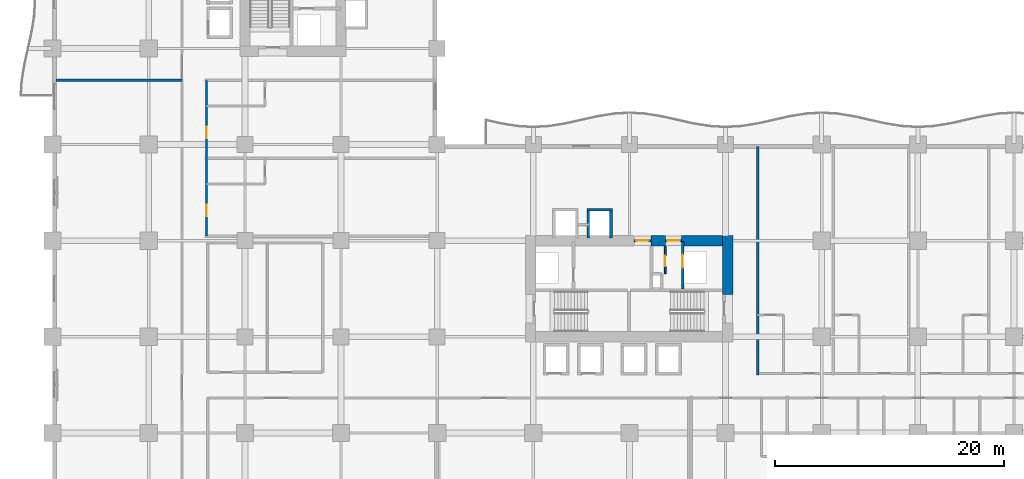
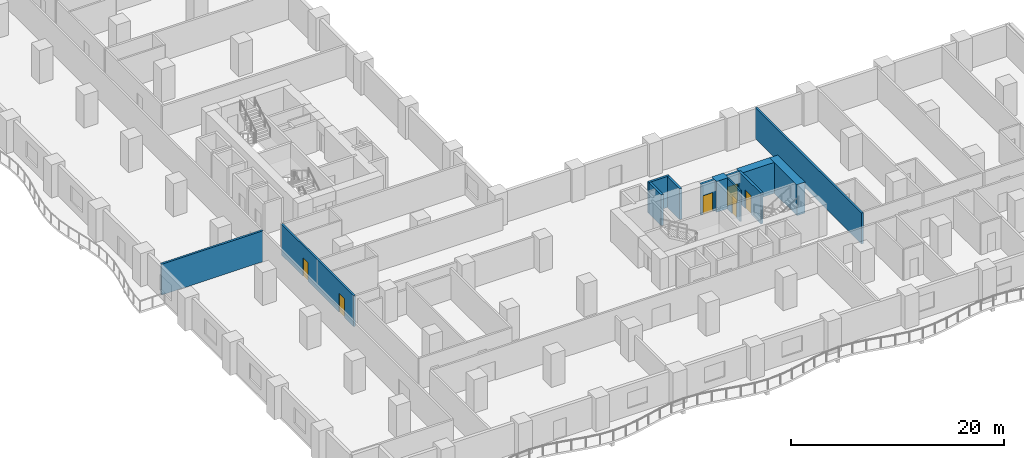
# One storey, part 9 of 21: 13 walls, 6 doors, 6 openings.
"""IFC4 building model written with IfcOpenShell, lengths in metres."""

from ifc_helpers import new_model, si_unit, direction, frame, frame_2d, origin, place, context, subcontext, project, spatial, rectangle, extrude, material, layer, layer_set, type_object, element, fill, save


model = new_model("IFC4")

# Units and contexts
model_context = context("Model", 3, precision=1e-05, world=origin(), true_north=direction((0.0, 1.0)))
body_context = subcontext(model_context, "Body", "Model", "MODEL_VIEW")
ifc_project = project(units=[si_unit("LENGTHUNIT", "METRE"), si_unit("AREAUNIT", "SQUARE_METRE"), si_unit("VOLUMEUNIT", "CUBIC_METRE"), si_unit("PLANEANGLEUNIT", "RADIAN"), si_unit("MASSUNIT", "GRAM", prefix="KILO")], contexts=[model_context])

# Site, building, storey
site_placement = place(None, origin())
site = spatial("IfcSite", under=ifc_project, at=site_placement, CompositionType="ELEMENT")
building_placement = place(site_placement, origin())
building = spatial("IfcBuilding", under=site, at=building_placement, Name="Koriwani Terraces Tower", CompositionType="ELEMENT")
storey_placement = place(building_placement, frame((0.0, 0.0, 77.60009765625)))
storey = spatial("IfcBuildingStorey", under=building, at=storey_placement, Name="L18", CompositionType="ELEMENT", Elevation=77.60009765625)

# Walls
ifc_material_1 = material(Name="Concrete C60/75", Category="concrete")
ifc_layer_1 = layer(ifc_material_1, 0.89990234375, Name="Concrete C60/75")
ifc_layer_set_1 = layer_set([ifc_layer_1], Name="Concrete C60/75")
wall_type_1 = type_object("IfcWallType", Name="WALL_CORE_RC_900", PredefinedType="SHEAR", material=ifc_layer_set_1)
wall_1_placement = place(storey_placement, frame((59.0, 20.5, 0.0), z_axis=(0.0, 0.0, 1.0), x_axis=(0.0, 1.0, 0.0)))
element("IfcWall", 1, at=wall_1_placement, inside=storey, type_object=wall_type_1, Name="L18 East Split Core Shear Wall E2", PredefinedType="SHEAR", context=body_context, shape_type="SweptSolid", body=[
    extrude(rectangle(XDim=5.14990234375, YDim=0.89990234375, at=frame_2d((2.574951171875, 0.0))), origin(), (0.0, 0.0, 1.0), 3.5498046875),
])
wall_2_placement = place(storey_placement, frame((52.280029296875, 25.199951171875, 0.0), z_axis=(0.0, 0.0, 1.0), x_axis=(1.0, 0.0, 0.0)))
element("IfcWall", 2, at=wall_2_placement, inside=storey, type_object=wall_type_1, Name="L18 East Split Core Shear Wall N2", PredefinedType="SHEAR", context=body_context, shape_type="SweptSolid", body=[
    extrude(rectangle(XDim=1.27001953125, YDim=0.89990234375, at=frame_2d((0.635009765625, 0.0))), origin(), (0.0, 0.0, 1.0), 3.5498046875),
])
wall_3_placement = place(storey_placement, frame((54.949951171875, 25.199951171875, 0.0), z_axis=(0.0, 0.0, 1.0), x_axis=(1.0, 0.0, 0.0)))
element("IfcWall", 3, at=wall_3_placement, inside=storey, type_object=wall_type_1, Name="L18 East Split Core Shear Wall N3", PredefinedType="SHEAR", context=body_context, shape_type="SweptSolid", body=[
    extrude(rectangle(XDim=3.60009765625, YDim=0.89990234375, at=frame_2d((1.800048828125, 0.0))), origin(), (0.0, 0.0, 1.0), 3.5498046875),
])

# Wall, openings, doors
ifc_material_2 = material(Name="Autoclaved Cellular Concrete Blockwork", Category="masonry")
ifc_layer_2 = layer(ifc_material_2, 0.199951171875, Name="Autoclaved Cellular Concrete Blockwork")
ifc_layer_set_2 = layer_set([ifc_layer_2], Name="Autoclaved Cellular Concrete Blockwork")
wall_type_2 = type_object("IfcWallType", Name="WALL_CORRIDOR_200", PredefinedType="PARTITIONING", material=ifc_layer_set_2)
wall_4_placement = place(storey_placement, frame((13.449951171875, 25.60009765625, 0.0), z_axis=(0.0, 0.0, 1.0), x_axis=(0.0, 1.0, 0.0)))
wall_4 = element("IfcWall", 4, at=wall_4_placement, inside=storey, type_object=wall_type_2, Name="L18 Interior Wall WCOR-L18-NWI-0", PredefinedType="PARTITIONING", context=body_context, shape_type="SweptSolid", body=[
    extrude(rectangle(XDim=13.599853515625, YDim=0.199951171875, at=frame_2d((6.7998046875, 0.0))), origin(), (0.0, 0.0, 1.0), 3.5498046875),
])
opening_1_placement = place(wall_4_placement, frame((1.735107421875, 0.0, 0.0)))
opening_1 = element("IfcOpeningElement", 5, at=opening_1_placement, cuts=wall_4, Name="Opening D-05", PredefinedType="OPENING", context=body_context, shape_type="SweptSolid", body=[
    extrude(rectangle(XDim=1.0, YDim=2.14990234375, at=frame_2d((0.5, 1.074951171875))), frame((0.0, 0.10986328125, 0.0), z_axis=(0.0, -1.0, 0.0), x_axis=(1.0, 0.0, 0.0)), (0.0, 0.0, 1.0), 0.219970703125),
])
opening_2_placement = place(wall_4_placement, frame((8.534912109375, 0.0, 0.0)))
opening_2 = element("IfcOpeningElement", 6, at=opening_2_placement, cuts=wall_4, Name="Opening D-05", PredefinedType="OPENING", context=body_context, shape_type="SweptSolid", body=[
    extrude(rectangle(XDim=1.0, YDim=2.14990234375, at=frame_2d((0.5, 1.074951171875))), frame((0.0, 0.10986328125, 0.0), z_axis=(0.0, -1.0, 0.0), x_axis=(1.0, 0.0, 0.0)), (0.0, 0.0, 1.0), 0.219970703125),
])
ifc_material_3 = material(Name="Architectural Oak Fire Door", Category="wood")
door_type_1 = type_object("IfcDoorType", Name="DOOR_SUITE_ENTRY_1000X2150", OperationType="NOTDEFINED", PredefinedType="DOOR", material=ifc_material_3)
door_1_placement = place(opening_1_placement, origin())
door_1 = element("IfcDoor", 7, at=door_1_placement, inside=storey, type_object=door_type_1, Name="Luxury Hotel Suite 18NWI1 Entrance Door", OperationType="SINGLE_SWING_RIGHT", OverallHeight=2.14990234375, OverallWidth=1.0, PredefinedType="DOOR", context=body_context, shape_type="SweptSolid", body=[
    extrude(rectangle(XDim=1.0, YDim=2.14990234375, at=frame_2d((0.5, 1.074951171875))), frame((0.0, 0.02490234375, 0.0), z_axis=(0.0, -1.0, 0.0), x_axis=(1.0, 0.0, 0.0)), (0.0, 0.0, 1.0), 0.050048828125),
])
fill(opening_1, door_1)
door_2_placement = place(opening_2_placement, origin())
door_2 = element("IfcDoor", 8, at=door_2_placement, inside=storey, type_object=door_type_1, Name="Luxury Hotel Suite 18NWI2 Entrance Door", OperationType="SINGLE_SWING_RIGHT", OverallHeight=2.14990234375, OverallWidth=1.0, PredefinedType="DOOR", context=body_context, shape_type="SweptSolid", body=[
    extrude(rectangle(XDim=1.0, YDim=2.14990234375, at=frame_2d((0.5, 1.074951171875))), frame((0.0, 0.02490234375, 0.0), z_axis=(0.0, -1.0, 0.0), x_axis=(1.0, 0.0, 0.0)), (0.0, 0.0, 1.0), 0.050048828125),
])
fill(opening_2, door_2)

# Walls
ifc_layer_3 = layer(ifc_material_2, 0.219970703125, Name="Autoclaved Cellular Concrete Blockwork")
ifc_layer_set_3 = layer_set([ifc_layer_3], Name="Autoclaved Cellular Concrete Blockwork")
wall_type_3 = type_object("IfcWallType", Name="WALL_DEMISING_220", PredefinedType="PARTITIONING", material=ifc_layer_set_3)
wall_5_placement = place(storey_placement, frame((0.300048828125, 39.199951171875, 0.0), z_axis=(0.0, 0.0, 1.0), x_axis=(1.0, 0.0, 0.0)))
element("IfcWall", 9, at=wall_5_placement, inside=storey, type_object=wall_type_3, Name="L18 Interior Wall WZ1NWCLM-L18", PredefinedType="PARTITIONING", context=body_context, shape_type="SweptSolid", body=[
    extrude(rectangle(XDim=11.0, YDim=0.219970703125, at=frame_2d((5.5, 0.0))), origin(), (0.0, 0.0, 1.0), 3.5498046875),
])
wall_6_placement = place(storey_placement, frame((61.60009765625, 13.449951171875, 0.0), z_axis=(0.0, 0.0, 1.0), x_axis=(0.0, 1.0, 0.0)))
element("IfcWall", 10, at=wall_6_placement, inside=storey, type_object=wall_type_3, Name="L18 Interior Wall WDEM-L18-SE-0", PredefinedType="PARTITIONING", context=body_context, shape_type="SweptSolid", body=[
    extrude(rectangle(XDim=19.97998046875, YDim=0.219970703125, at=frame_2d((9.989990234375, 0.0))), origin(), (0.0, 0.0, 1.0), 3.5498046875),
])

# Wall, opening, door
ifc_material_4 = material(Name="Concrete C40/50", Category="concrete")
ifc_layer_4 = layer(ifc_material_4, 0.25, Name="Concrete C40/50")
ifc_layer_set_4 = layer_set([ifc_layer_4], Name="Concrete C40/50")
wall_type_4 = type_object("IfcWallType", Name="WALL_SHAFT_RATED_250", PredefinedType="SOLIDWALL", material=ifc_layer_set_4)
wall_7_placement = place(storey_placement, frame((50.800048828125, 25.199951171875, 0.0), z_axis=(0.0, 0.0, 1.0), x_axis=(1.0, 0.0, 0.0)))
wall_7 = element("IfcWall", 11, at=wall_7_placement, inside=storey, type_object=wall_type_4, Name="L18 Interior Wall WIN-CE-L18-NP", PredefinedType="SOLIDWALL", context=body_context, shape_type="SweptSolid", body=[
    extrude(rectangle(XDim=1.47998046875, YDim=0.25, at=frame_2d((0.739990234375, 0.0))), origin(), (0.0, 0.0, 1.0), 3.5498046875),
])
opening_3_placement = place(wall_7_placement, frame((0.179931640625, 0.0, 0.0)))
opening_3 = element("IfcOpeningElement", 12, at=opening_3_placement, cuts=wall_7, Name="Opening D-03", PredefinedType="OPENING", context=body_context, shape_type="SweptSolid", body=[
    extrude(rectangle(XDim=1.10009765625, YDim=2.14990234375, at=frame_2d((0.550048828125, 1.074951171875))), frame((0.0, 0.135009765625, 0.0), z_axis=(0.0, -1.0, 0.0), x_axis=(1.0, 0.0, 0.0)), (0.0, 0.0, 1.0), 0.27001953125),
])
ifc_material_5 = material(Name="Steel ASTM A572 Grade 50", Category="steel")
door_type_2 = type_object("IfcDoorType", Name="DOOR_STAIR_FIRE_1100X2150", OperationType="NOTDEFINED", PredefinedType="DOOR", material=ifc_material_5)
door_3_placement = place(opening_3_placement, origin())
door_3 = element("IfcDoor", 13, at=door_3_placement, inside=storey, type_object=door_type_2, Name="L18 East Firefighting Lobby Door", OperationType="SINGLE_SWING_LEFT", OverallHeight=2.14990234375, OverallWidth=1.10009765625, PredefinedType="DOOR", context=body_context, shape_type="SweptSolid", body=[
    extrude(rectangle(XDim=1.10009765625, YDim=2.14990234375, at=frame_2d((0.550048828125, 1.074951171875))), frame((0.0, 0.02490234375, 0.0), z_axis=(0.0, -1.0, 0.0), x_axis=(1.0, 0.0, 0.0)), (0.0, 0.0, 1.0), 0.050048828125),
])
fill(opening_3, door_3)

wall_8_placement = place(storey_placement, frame((55.050048828125, 21.0, 0.0), z_axis=(0.0, 0.0, 1.0), x_axis=(0.0, 1.0, 0.0)))
wall_8 = element("IfcWall", 14, at=wall_8_placement, inside=storey, type_object=wall_type_4, Name="L18 Interior Wall WIN-CE-L18-SE", PredefinedType="SOLIDWALL", context=body_context, shape_type="SweptSolid", body=[
    extrude(rectangle(XDim=4.14990234375, YDim=0.25, at=frame_2d((2.074951171875, 0.0))), origin(), (0.0, 0.0, 1.0), 3.5498046875),
])
opening_4_placement = place(wall_8_placement, frame((1.85009765625, 0.0, 0.0)))
opening_4 = element("IfcOpeningElement", 15, at=opening_4_placement, cuts=wall_8, Name="Opening LD-01", PredefinedType="OPENING", context=body_context, shape_type="SweptSolid", body=[
    extrude(rectangle(XDim=1.10009765625, YDim=2.14990234375, at=frame_2d((0.550048828125, 1.074951171875))), frame((0.0, 0.135009765625, 0.0), z_axis=(0.0, -1.0, 0.0), x_axis=(1.0, 0.0, 0.0)), (0.0, 0.0, 1.0), 0.27001953125),
])
door_type_3 = type_object("IfcDoorType", Name="DOOR_LIFT_LANDING_1100X2200", OperationType="NOTDEFINED", PredefinedType="DOOR", material=ifc_material_5)
door_4_placement = place(opening_4_placement, origin())
door_4 = element("IfcDoor", 16, at=door_4_placement, inside=storey, type_object=door_type_3, Name="L18 Goods Lift SE-02 Landing Door", OperationType="SLIDING_TO_LEFT", OverallHeight=2.14990234375, OverallWidth=1.10009765625, PredefinedType="DOOR", context=body_context, shape_type="SweptSolid", body=[
    extrude(rectangle(XDim=1.10009765625, YDim=2.14990234375, at=frame_2d((0.550048828125, 1.074951171875))), frame((0.0, 0.02490234375, 0.0), z_axis=(0.0, -1.0, 0.0), x_axis=(1.0, 0.0, 0.0)), (0.0, 0.0, 1.0), 0.050048828125),
])
fill(opening_4, door_4)

wall_9_placement = place(storey_placement, frame((53.550048828125, 25.199951171875, 0.0), z_axis=(0.0, 0.0, 1.0), x_axis=(1.0, 0.0, 0.0)))
wall_9 = element("IfcWall", 17, at=wall_9_placement, inside=storey, type_object=wall_type_4, Name="L18 Interior Wall WIN-CE-L18-NP2", PredefinedType="SOLIDWALL", context=body_context, shape_type="SweptSolid", body=[
    extrude(rectangle(XDim=1.39990234375, YDim=0.25, at=frame_2d((0.699951171875, 0.0))), origin(), (0.0, 0.0, 1.0), 3.5498046875),
])
opening_5_placement = place(wall_9_placement, frame((0.14990234375, 0.0, 0.0)))
opening_5 = element("IfcOpeningElement", 18, at=opening_5_placement, cuts=wall_9, Name="Opening D-03", PredefinedType="OPENING", context=body_context, shape_type="SweptSolid", body=[
    extrude(rectangle(XDim=1.10009765625, YDim=2.14990234375, at=frame_2d((0.550048828125, 1.074951171875))), frame((0.0, 0.135009765625, 0.0), z_axis=(0.0, -1.0, 0.0), x_axis=(1.0, 0.0, 0.0)), (0.0, 0.0, 1.0), 0.27001953125),
])
door_5_placement = place(opening_5_placement, origin())
door_5 = element("IfcDoor", 19, at=door_5_placement, inside=storey, type_object=door_type_2, Name="L18 East Goods Lift Lobby Door", OperationType="SINGLE_SWING_RIGHT", OverallHeight=2.14990234375, OverallWidth=1.10009765625, PredefinedType="DOOR", context=body_context, shape_type="SweptSolid", body=[
    extrude(rectangle(XDim=1.10009765625, YDim=2.14990234375, at=frame_2d((0.550048828125, 1.074951171875))), frame((0.0, 0.02490234375, 0.0), z_axis=(0.0, -1.0, 0.0), x_axis=(1.0, 0.0, 0.0)), (0.0, 0.0, 1.0), 0.050048828125),
])
fill(opening_5, door_5)

# Walls
wall_10_placement = place(storey_placement, frame((46.675048828125, 27.89990234375, 0.0), z_axis=(0.0, 0.0, 1.0), x_axis=(1.0, 0.0, 0.0)))
element("IfcWall", 20, at=wall_10_placement, inside=storey, type_object=wall_type_4, Name="L18 Interior Wall WIN-LF-PE-H4-L18-F", PredefinedType="SOLIDWALL", context=body_context, shape_type="SweptSolid", body=[
    extrude(rectangle(XDim=2.25, YDim=0.25, at=frame_2d((1.125, 0.0))), origin(), (0.0, 0.0, 1.0), 3.5498046875),
])
for number, where, z_axis, x_axis, name in (
    (21, (46.800048828125, 25.449951171875, 0.0), (0.0, 0.0, 1.0), (0.0, 1.0, 0.0), "L18 Interior Wall WIN-LF-PE-H4-L18-W"),
    (22, (48.800048828125, 25.449951171875, 0.0), (0.0, 0.0, 1.0), (0.0, 1.0, 0.0), "L18 Interior Wall WIN-LF-PE-H4-L18-E"),
):
    element("IfcWall", number, at=place(storey_placement, frame(where, z_axis=z_axis, x_axis=x_axis)), inside=storey, type_object=wall_type_4, Name=name, PredefinedType="SOLIDWALL", context=body_context, shape_type="SweptSolid", body=[
        extrude(rectangle(XDim=2.324951171875, YDim=0.25, at=frame_2d((1.16259765625, 0.0))), origin(), (0.0, 0.0, 1.0), 3.5498046875),
    ])

# Wall, opening, door
ifc_material_6 = material(Name="Fire-Rated Acoustic Gypsum Partition", Category="masonry")
ifc_layer_5 = layer(ifc_material_6, 0.159912109375, Name="Fire-Rated Acoustic Gypsum Partition")
ifc_layer_set_5 = layer_set([ifc_layer_5], Name="Fire-Rated Acoustic Gypsum Partition")
wall_type_5 = type_object("IfcWallType", Name="WALL_SUITE_160", PredefinedType="PARTITIONING", material=ifc_layer_set_5)
wall_11_placement = place(storey_placement, frame((53.52001953125, 22.320068359375, 0.0), z_axis=(0.0, 0.0, 1.0), x_axis=(0.0, 1.0, 0.0)))
wall_11 = element("IfcWall", 23, at=wall_11_placement, inside=storey, type_object=wall_type_5, Name="L18 Interior Wall WIN-CE-L18-SV0", PredefinedType="PARTITIONING", context=body_context, shape_type="SweptSolid", body=[
    extrude(rectangle(XDim=2.39990234375, YDim=0.159912109375, at=frame_2d((1.199951171875, 0.0))), origin(), (0.0, 0.0, 1.0), 3.5498046875),
])
opening_6_placement = place(wall_11_placement, frame((0.64990234375, 0.0, 0.0)))
opening_6 = element("IfcOpeningElement", 24, at=opening_6_placement, cuts=wall_11, Name="Opening D-07", PredefinedType="OPENING", context=body_context, shape_type="SweptSolid", body=[
    extrude(rectangle(XDim=0.89990234375, YDim=2.10009765625, at=frame_2d((0.449951171875, 1.050048828125))), frame((0.0, 0.08984375, 0.0), z_axis=(0.0, -1.0, 0.0), x_axis=(1.0, 0.0, 0.0)), (0.0, 0.0, 1.0), 0.179931640625),
])
door_type_4 = type_object("IfcDoorType", Name="DOOR_BATH_INT_900X2100", OperationType="NOTDEFINED", PredefinedType="DOOR", material=ifc_material_3)
door_6_placement = place(opening_6_placement, origin())
door_6 = element("IfcDoor", 25, at=door_6_placement, inside=storey, type_object=door_type_4, Name="L18 East Electrical Switch Room Door", OperationType="SINGLE_SWING_LEFT", OverallHeight=2.10009765625, OverallWidth=0.89990234375, PredefinedType="DOOR", context=body_context, shape_type="SweptSolid", body=[
    extrude(rectangle(XDim=0.89990234375, YDim=2.10009765625, at=frame_2d((0.449951171875, 1.050048828125))), frame((0.0, 0.02490234375, 0.0), z_axis=(0.0, -1.0, 0.0), x_axis=(1.0, 0.0, 0.0)), (0.0, 0.0, 1.0), 0.050048828125),
])
fill(opening_6, door_6)

save(model, "model.ifc")
